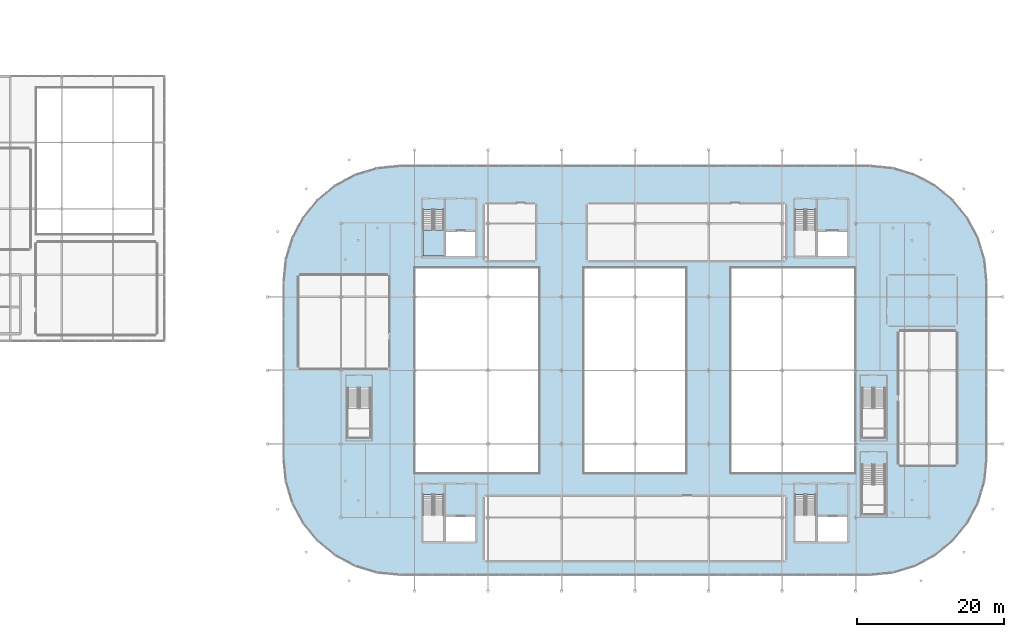
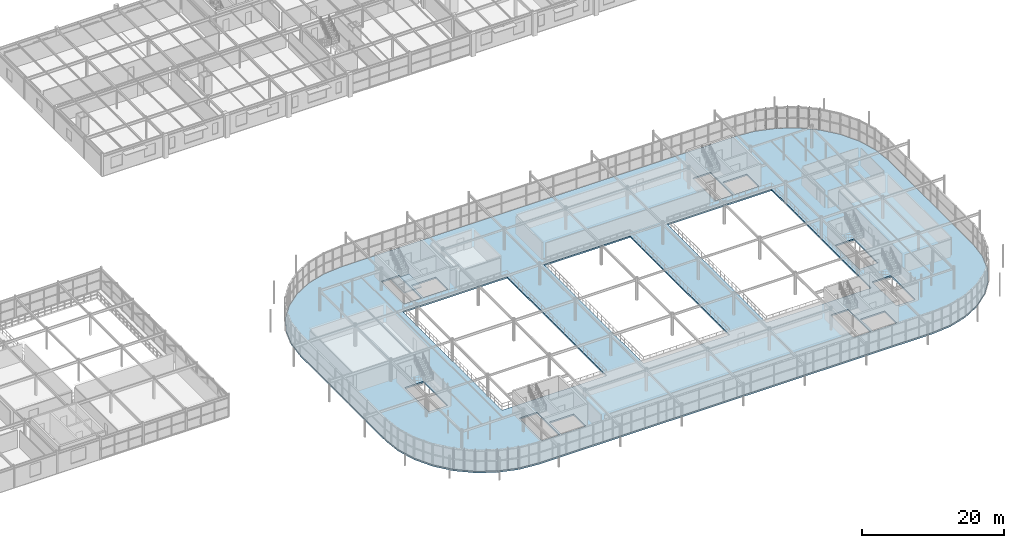
# One storey, part 67 of 98: 2 slabs, 1 element without a shape of its own.
"""IFC4 building model written with IfcOpenShell, lengths in metres."""

import ifcopenshell
import ifcopenshell.guid

model = None  # the IFC model being written
_history = None  # IfcOwnerHistory: only IFC2X3 demands one
_inside = {}  # id of a spatial element -> (the spatial element, [elements in it])
_under = {}  # id of a project, library or spatial element -> (it, [spatial elements below it])
_declared = {}  # id of a project -> (the project, [libraries it declares])
_typed = {}  # id of a type object -> (the type object, [elements of that type])
_made_of = {}  # id of a material, layer set ... -> (it, [elements and type objects made of it])


def new_model(schema):
    """Start an empty IFC model of exactly this schema.

    Asked for "IFC4X3", IfcOpenShell would pick the latest addendum, in which some entities
    have other attributes; the version numbers below select the first issue.
    IFC2X3 requires an IfcOwnerHistory on every rooted entity: one is made here for all.
    """
    global model, _history
    if schema == "IFC4X3":
        model = ifcopenshell.file(schema_version=(4, 3, 0, 0))
    else:
        model = ifcopenshell.file(schema=schema)
    _inside.clear()
    _under.clear()
    _declared.clear()
    _typed.clear()
    _made_of.clear()
    _history = None
    if model.schema == "IFC2X3":
        org = make("IfcOrganization", Name="unknown")
        user = make(
            "IfcPersonAndOrganization",
            ThePerson=make("IfcPerson", FamilyName="unknown"),
            TheOrganization=org,
        )
        app = make(
            "IfcApplication",
            ApplicationDeveloper=org,
            Version="unknown",
            ApplicationFullName="unknown",
            ApplicationIdentifier="unknown",
        )
        _history = make(
            "IfcOwnerHistory",
            OwningUser=user,
            OwningApplication=app,
            ChangeAction="ADDED",
            CreationDate=0,
        )
    return model


def make(cls, **values):
    """One entity of the class cls with the attributes given. An attribute that is None is left unset."""
    return model.create_entity(
        cls, **{name: value for name, value in values.items() if value is not None}
    )


def rooted(cls, **values):
    """An entity with a GlobalId (a new one), such as an element, a storey or a relation."""
    return make(cls, GlobalId=ifcopenshell.guid.new(), OwnerHistory=_history, **values)


def si_unit(unit_type, name, prefix=None):
    """IfcSIUnit, for example si_unit("LENGTHUNIT", "METRE", prefix="MILLI")."""
    return make("IfcSIUnit", UnitType=unit_type, Prefix=prefix, Name=name)


def derived_unit(unit_type, elements):
    """IfcDerivedUnit: a product of units, each with its exponent."""
    return make(
        "IfcDerivedUnit",
        Elements=[
            make("IfcDerivedUnitElement", Unit=unit, Exponent=power)
            for unit, power in elements
        ],
        UnitType=unit_type,
    )


def assignment(units):
    """IfcUnitAssignment: the units of a project."""
    return None if units is None else make("IfcUnitAssignment", Units=units)


def point(xyz):
    """IfcCartesianPoint."""
    return None if xyz is None else make("IfcCartesianPoint", Coordinates=xyz)


def direction(xyz):
    """IfcDirection."""
    return None if xyz is None else make("IfcDirection", DirectionRatios=xyz)


def frame(location, z_axis=None, x_axis=None):
    """IfcAxis2Placement3D, a coordinate frame: its origin and axes. An axis left out is left unset."""
    return make(
        "IfcAxis2Placement3D",
        Location=point(location),
        Axis=direction(z_axis),
        RefDirection=direction(x_axis),
    )


def origin():
    """The frame at (0, 0, 0) with its axes left unset."""
    return frame((0.0, 0.0, 0.0))


def place(relative_to, where):
    """IfcLocalPlacement: puts the frame where relative to a parent placement (None: the world)."""
    return make(
        "IfcLocalPlacement", PlacementRelTo=relative_to, RelativePlacement=where
    )


def context(
    kind, dimensions, precision=None, world=None, true_north=None, identifier=None
):
    """IfcGeometricRepresentationContext, for example the 3D "Model" context."""
    return make(
        "IfcGeometricRepresentationContext",
        ContextIdentifier=identifier,
        ContextType=kind,
        CoordinateSpaceDimension=dimensions,
        Precision=precision,
        WorldCoordinateSystem=world,
        TrueNorth=true_north,
    )


def subcontext(parent, identifier, kind, view, scale=None):
    """IfcGeometricRepresentationSubContext, for example "Body" below "Model"."""
    return make(
        "IfcGeometricRepresentationSubContext",
        ContextIdentifier=identifier,
        ContextType=kind,
        ParentContext=parent,
        TargetScale=scale,
        TargetView=view,
    )


def project(units=None, contexts=None):
    """IfcProject with its units and contexts."""
    return rooted(
        "IfcProject",
        Name="project",
        RepresentationContexts=contexts,
        UnitsInContext=assignment(units),
    )


def spatial(cls, under=None, at=None, **own):
    """A site, building, storey or space (cls), placed at a placement, below another one or the project."""
    s = rooted(cls, ObjectPlacement=at, **own)
    if under is not None:
        _under.setdefault(under.id(), (under, []))[1].append(s)
    return s


def polyline(points):
    """IfcPolyline through the points."""
    return make("IfcPolyline", Points=[point(p) for p in points])


def outline(outer, holes=None, kind="AREA"):
    """IfcArbitraryClosedProfileDef: a profile drawn as a closed curve; with holes, ...WithVoids."""
    if holes is None:
        return make("IfcArbitraryClosedProfileDef", ProfileType=kind, OuterCurve=outer)
    return make(
        "IfcArbitraryProfileDefWithVoids",
        ProfileType=kind,
        OuterCurve=outer,
        InnerCurves=holes,
    )


def extrude(swept, where, along, depth):
    """IfcExtrudedAreaSolid: the profile swept, set in the frame where, extruded along a direction by depth."""
    return make(
        "IfcExtrudedAreaSolid",
        SweptArea=swept,
        Position=where,
        ExtrudedDirection=direction(along),
        Depth=depth,
    )


def shape(context_of_items, identifier, shape_type, items):
    """IfcShapeRepresentation: the items that make up one representation, for example the "Body"."""
    return make(
        "IfcShapeRepresentation",
        ContextOfItems=context_of_items,
        RepresentationIdentifier=identifier,
        RepresentationType=shape_type,
        Items=items,
    )


def material(Name=None, Category=None):
    """IfcMaterial."""
    return make("IfcMaterial", Name=Name, Category=Category)


def layer(
    of_material, thickness, ventilated=None, Name=None, Category=None, Priority=None
):
    """IfcMaterialLayer: one layer of a wall or slab, of a material (None: an air gap)."""
    return make(
        "IfcMaterialLayer",
        Material=of_material,
        LayerThickness=thickness,
        IsVentilated=ventilated,
        Name=Name,
        Category=Category,
        Priority=Priority,
    )


def layer_set(layers, Name=None):
    """IfcMaterialLayerSet."""
    return make("IfcMaterialLayerSet", MaterialLayers=layers, LayerSetName=Name)


def made_of(thing, what):
    """Note that an element or type object is made of a material, layer set ...; save() writes the relation."""
    if what is not None:
        _made_of.setdefault(what.id(), (what, []))[1].append(thing)
    return thing


def type_object(cls, material=None, **own):
    """A type object (cls), such as IfcWallType, which elements share."""
    return made_of(rooted(cls, **own), material)


def element(
    cls,
    number,
    at=None,
    inside=None,
    cuts=None,
    type_object=None,
    material=None,
    context=None,
    identifier="Body",
    shape_type=None,
    held_by="IfcProductDefinitionShape",
    body=None,
    shapes=None,
    **own,
):
    """One element of the class cls, such as IfcWall. Its Tag is "e" and its number.

    at: its placement. inside: the storey or other place that contains it. cuts: it is an
    opening in that element (IfcRelVoidsElement). A single representation is given by context,
    identifier, shape_type and body (its items); several are given by shapes. held_by: the class
    of the entity that holds the representations. save() writes the other relations.
    """
    e = rooted(cls, Tag="e%d" % number, ObjectPlacement=at, **own)
    if body is not None:
        shapes = [shape(context, identifier, shape_type, body)]
    if shapes is not None:
        e.Representation = make(held_by, Representations=shapes)
    if inside is not None:
        _inside.setdefault(inside.id(), (inside, []))[1].append(e)
    if cuts is not None:
        rooted(
            "IfcRelVoidsElement", RelatingBuildingElement=cuts, RelatedOpeningElement=e
        )
    if type_object is not None:
        _typed.setdefault(type_object.id(), (type_object, []))[1].append(e)
    return made_of(e, material)


def aggregate(whole, parts):
    """IfcRelAggregates: a whole, such as a stair, and the parts it consists of."""
    return rooted("IfcRelAggregates", RelatingObject=whole, RelatedObjects=parts)


def save(model, path):
    """Write the relations noted so far, then the file.

    IfcRelAggregates (storeys below a building ...), IfcRelContainedInSpatialStructure (elements
    in a storey), IfcRelDefinesByType, IfcRelAssociatesMaterial and IfcRelDeclares: one each for
    every whole, place, type object, material and project.
    """
    for whole, parts in _under.values():
        aggregate(whole, parts)
    for where, things in _inside.values():
        rooted(
            "IfcRelContainedInSpatialStructure",
            RelatedElements=things,
            RelatingStructure=where,
        )
    for kind, things in _typed.values():
        rooted("IfcRelDefinesByType", RelatedObjects=things, RelatingType=kind)
    for what, things in _made_of.values():
        rooted("IfcRelAssociatesMaterial", RelatedObjects=things, RelatingMaterial=what)
    for by, libraries in _declared.values():
        rooted("IfcRelDeclares", RelatingContext=by, RelatedDefinitions=libraries)
    model.write(path)


model = new_model("IFC4")

# Units and contexts
model_context = context("Model", 3, precision=1e-05, world=origin(), true_north=direction((0.0, 1.0)))
body_context = subcontext(model_context, "Body", "Model", "MODEL_VIEW")
ifc_project = project(units=[si_unit("LENGTHUNIT", "METRE"), si_unit("AREAUNIT", "SQUARE_METRE"), si_unit("VOLUMEUNIT", "CUBIC_METRE"), si_unit("PLANEANGLEUNIT", "RADIAN"), si_unit("MASSUNIT", "GRAM", prefix="KILO"), derived_unit("THERMALTRANSMITTANCEUNIT", [(si_unit("POWERUNIT", "WATT"), 1), (si_unit("LENGTHUNIT", "METRE"), -2), (si_unit("THERMODYNAMICTEMPERATUREUNIT", "KELVIN"), -1)])], contexts=[model_context])

# Site, building, storey
site_placement = place(None, origin())
site = spatial("IfcSite", under=ifc_project, at=site_placement, CompositionType="ELEMENT")
building_placement = place(site_placement, origin())
building = spatial("IfcBuilding", under=site, at=building_placement, Name="Cinnabar Yard Market Hall", CompositionType="ELEMENT")
storey_placement = place(building_placement, frame((0.0, 0.0, 4.5)))
storey = spatial("IfcBuildingStorey", under=building, at=storey_placement, Name="L01", CompositionType="ELEMENT", Elevation=4.5)

# Slab
ifc_material = material(Name="Concrete 40 MPa", Category="concrete")
ifc_layer_1 = layer(ifc_material, 0.260009765625)
ifc_layer_set_1 = layer_set([ifc_layer_1], Name="Concrete 40 MPa")
slab_type_1 = type_object("IfcSlabType", Name="SL-L01", PredefinedType="FLOOR", material=ifc_layer_set_1)
slab_1_placement = place(storey_placement, frame((0.0, 0.0, -0.260009765625)))
element("IfcSlab", 1, at=slab_1_placement, inside=storey, type_object=slab_type_1, Name="L01 Market Mezzanine Gallery Slab", PredefinedType="FLOOR", context=body_context, shape_type="SweptSolid", body=[
    extrude(outline(polyline([(68.199951171875, 32.0), (68.503662109375, 28.91748046875), (69.402587890625, 25.95361328125), (70.86279296875, 23.221923828125), (72.82763671875, 20.82763671875), (75.221923828125, 18.86279296875), (77.95361328125, 17.402587890625), (80.91748046875, 16.503662109375), (84.0, 16.199951171875), (148.0, 16.199951171875), (151.08251953125, 16.503662109375), (154.04638671875, 17.402587890625), (156.778076171875, 18.86279296875), (159.17236328125, 20.82763671875), (161.13720703125, 23.221923828125), (162.597412109375, 25.95361328125), (163.496337890625, 28.91748046875), (163.800048828125, 32.0), (163.800048828125, 56.0), (163.496337890625, 59.08251953125), (162.597412109375, 62.04638671875), (161.13720703125, 64.778076171875), (159.17236328125, 67.17236328125), (156.778076171875, 69.13720703125), (154.04638671875, 70.597412109375), (151.08251953125, 71.496337890625), (148.0, 71.800048828125), (84.0, 71.800048828125), (80.91748046875, 71.496337890625), (77.95361328125, 70.597412109375), (75.221923828125, 69.13720703125), (72.82763671875, 67.17236328125), (70.86279296875, 64.778076171875), (69.402587890625, 62.04638671875), (68.503662109375, 59.08251953125), (68.199951171875, 56.0), (68.199951171875, 32.0)]), holes=[polyline([(86.0, 30.0), (103.0, 30.0), (103.0, 58.0), (86.0, 58.0), (86.0, 30.0)]), polyline([(109.0, 30.0), (123.0, 30.0), (123.0, 58.0), (109.0, 58.0), (109.0, 30.0)]), polyline([(129.0, 30.0), (146.0, 30.0), (146.0, 58.0), (129.0, 58.0), (129.0, 30.0)]), polyline([(87.139892578125, 27.094970703125), (87.139892578125, 20.739990234375), (90.0, 20.739990234375), (90.0, 27.094970703125), (87.139892578125, 27.094970703125)]), polyline([(90.300048828125, 20.75), (94.25, 20.75), (94.25, 24.14990234375), (90.300048828125, 24.14990234375), (90.300048828125, 20.75)]), polyline([(137.739990234375, 27.094970703125), (137.739990234375, 20.739990234375), (140.60009765625, 20.739990234375), (140.60009765625, 27.094970703125), (137.739990234375, 27.094970703125)]), polyline([(140.89990234375, 20.75), (144.85009765625, 20.75), (144.85009765625, 24.14990234375), (140.89990234375, 24.14990234375), (140.89990234375, 20.75)]), polyline([(87.139892578125, 65.89501953125), (87.139892578125, 59.5400390625), (90.0, 59.5400390625), (90.0, 65.89501953125), (87.139892578125, 65.89501953125)]), polyline([(90.300048828125, 59.550048828125), (94.25, 59.550048828125), (94.25, 62.949951171875), (90.300048828125, 62.949951171875), (90.300048828125, 59.550048828125)]), polyline([(137.739990234375, 65.89501953125), (137.739990234375, 59.5400390625), (140.60009765625, 59.5400390625), (140.60009765625, 65.89501953125), (137.739990234375, 65.89501953125)]), polyline([(140.89990234375, 59.550048828125), (144.85009765625, 59.550048828125), (144.85009765625, 62.949951171875), (140.89990234375, 62.949951171875), (140.89990234375, 59.550048828125)]), polyline([(76.89990234375, 41.635009765625), (76.89990234375, 34.85009765625), (79.9599609375, 34.85009765625), (79.9599609375, 41.635009765625), (76.89990234375, 41.635009765625)]), polyline([(146.89990234375, 41.635009765625), (146.89990234375, 34.85009765625), (149.9599609375, 34.85009765625), (149.9599609375, 41.635009765625), (146.89990234375, 41.635009765625)]), polyline([(146.89990234375, 31.235107421875), (146.89990234375, 24.449951171875), (149.9599609375, 24.449951171875), (149.9599609375, 31.235107421875), (146.89990234375, 31.235107421875)])]), origin(), (0.0, 0.0, 1.0), 0.260009765625),
])

# Stair, slab
stair_type = type_object("IfcStairType", Name="ST-CORE", PredefinedType="HALF_TURN_STAIR", material=ifc_material)
stair_placement = place(storey_placement, origin())
stair = element("IfcStair", 2, at=stair_placement, inside=storey, type_object=stair_type, Name="L01 Market Hall North-West Core Stair", PredefinedType="HALF_TURN_STAIR")
ifc_layer_2 = layer(ifc_material, 0.199951171875)
ifc_layer_set_2 = layer_set([ifc_layer_2], Name="Concrete 40 MPa")
slab_type_2 = type_object("IfcSlabType", Name="SL-LAND", PredefinedType="LANDING", material=ifc_layer_set_2)
slab_2_placement = place(storey_placement, frame((0.0, 0.0, 1.75)))
slab_2 = element("IfcSlab", 3, at=slab_2_placement, type_object=slab_type_2, Name="ST-C3 landing 1", PredefinedType="LANDING", context=body_context, shape_type="SweptSolid", body=[
    extrude(outline(polyline([(87.139892578125, 63.110107421875), (87.139892578125, 59.5400390625), (90.0, 59.5400390625), (90.0, 63.110107421875), (87.139892578125, 63.110107421875)])), origin(), (0.0, 0.0, 1.0), 0.199951171875),
])
aggregate(stair, [slab_2])

save(model, "model.ifc")
